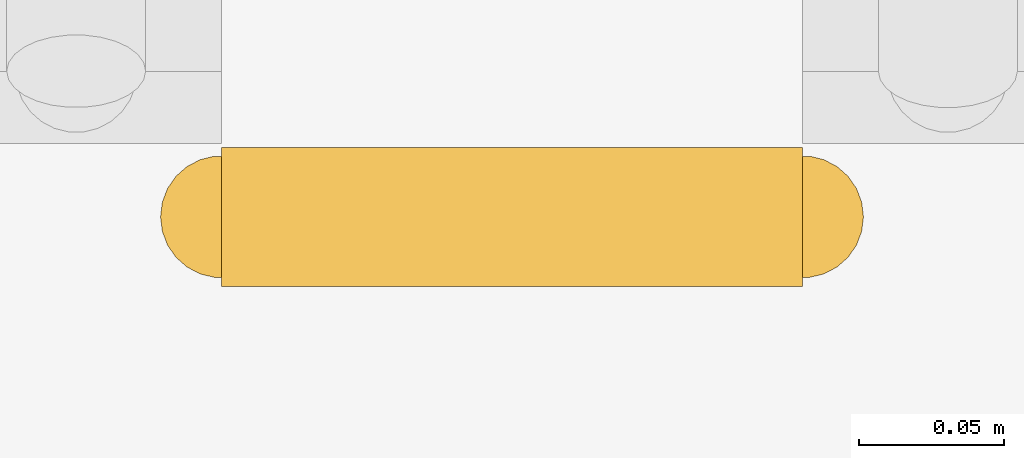
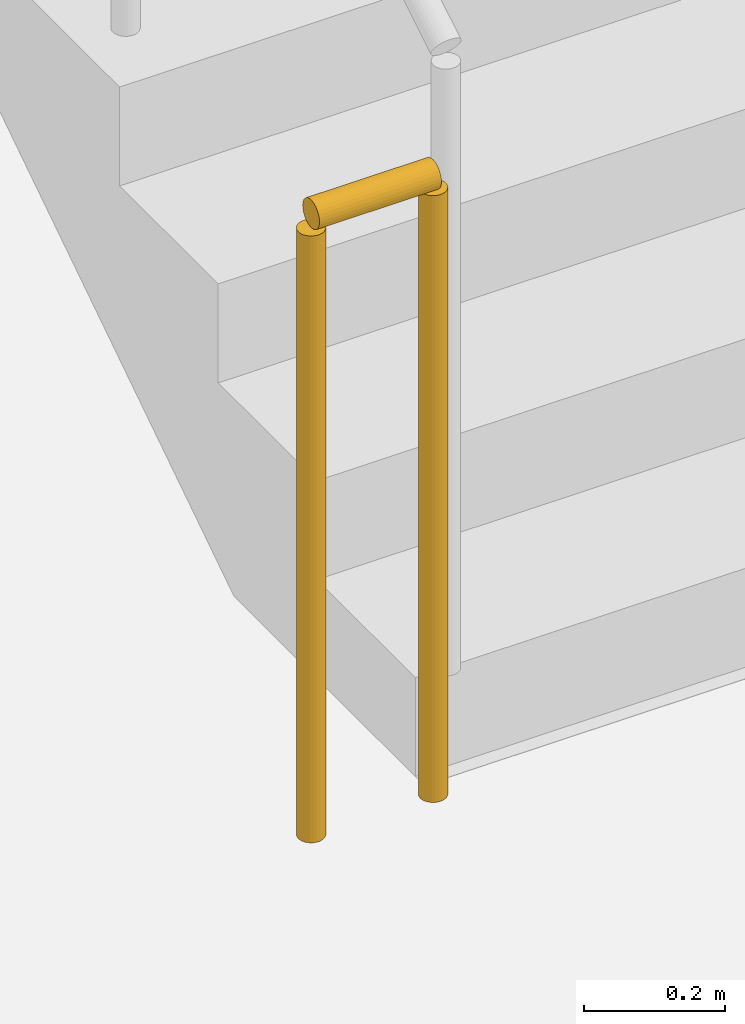
# One storey, part 47 of 51: 1 railing.
"""IFC4 building model written with IfcOpenShell, lengths in metres."""

from ifc_helpers import new_model, si_unit, direction, frame, origin, origin_2d, place, context, subcontext, project, spatial, circle, extrude, material, type_object, element, save


model = new_model("IFC4")

# Units and contexts
model_context = context("Model", 3, precision=1e-05, world=origin(), true_north=direction((0.0, 1.0)))
body_context = subcontext(model_context, "Body", "Model", "MODEL_VIEW")
ifc_project = project(units=[si_unit("LENGTHUNIT", "METRE"), si_unit("AREAUNIT", "SQUARE_METRE"), si_unit("VOLUMEUNIT", "CUBIC_METRE"), si_unit("PLANEANGLEUNIT", "RADIAN"), si_unit("MASSUNIT", "GRAM", prefix="KILO")], contexts=[model_context])

# Site, building, storey
site_placement = place(None, origin())
site = spatial("IfcSite", under=ifc_project, at=site_placement, CompositionType="ELEMENT")
building_placement = place(site_placement, origin())
building = spatial("IfcBuilding", under=site, at=building_placement, Name="Varncliffe General Hospital", CompositionType="ELEMENT")
storey_placement = place(building_placement, frame((0.0, 0.0, -4.800048828125)))
storey = spatial("IfcBuildingStorey", under=building, at=storey_placement, Name="B1", CompositionType="ELEMENT", Elevation=-4.800048828125)

# Railing
ifc_material = material(Name="Powder-coated hospital steel guardrail and handrail", Category="steel")
railing_type = type_object("IfcRailingType", Name="Stairwell Guardrail SG49", PredefinedType="GUARDRAIL", material=ifc_material)
railing_placement = place(storey_placement, frame((139.75, 90.550048828125, 0.0)))
element("IfcRailing", 1, at=railing_placement, inside=storey, type_object=railing_type, Name="B1 ST14 stair guard 4", PredefinedType="GUARDRAIL", context=body_context, shape_type="SweptSolid", body=[
    extrude(circle(Radius=0.02392578125, at=origin_2d()), frame((0.0, 0.0, 1.076171875), z_axis=(-1.0, 0.0, 0.0), x_axis=(0.0, -1.0, 0.0)), (0.0, 0.0, 1.0), 0.199951171875),
    extrude(circle(Radius=0.02099609375, at=origin_2d()), origin(), (0.0, 0.0, 1.0), 1.052001953125),
    extrude(circle(Radius=0.02099609375, at=origin_2d()), frame((-0.199951171875, 0.0, 0.0)), (0.0, 0.0, 1.0), 1.052001953125),
])

save(model, "model.ifc")
